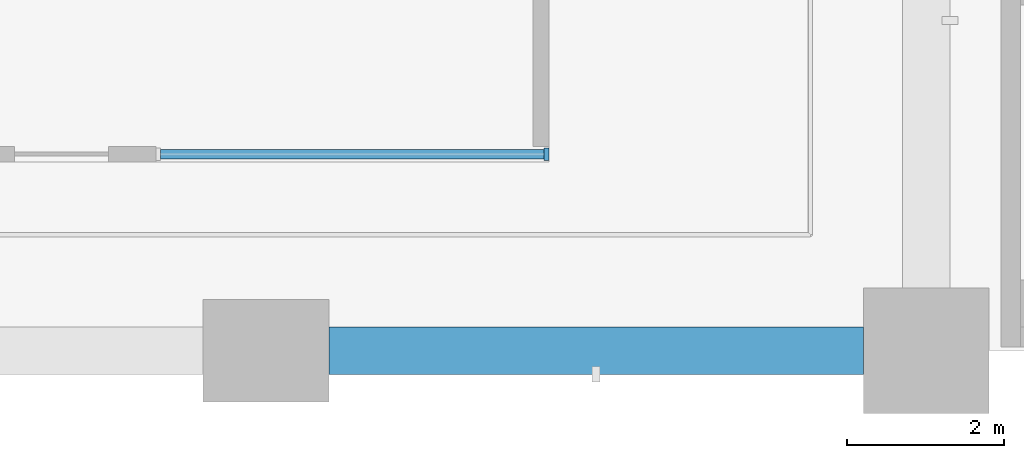
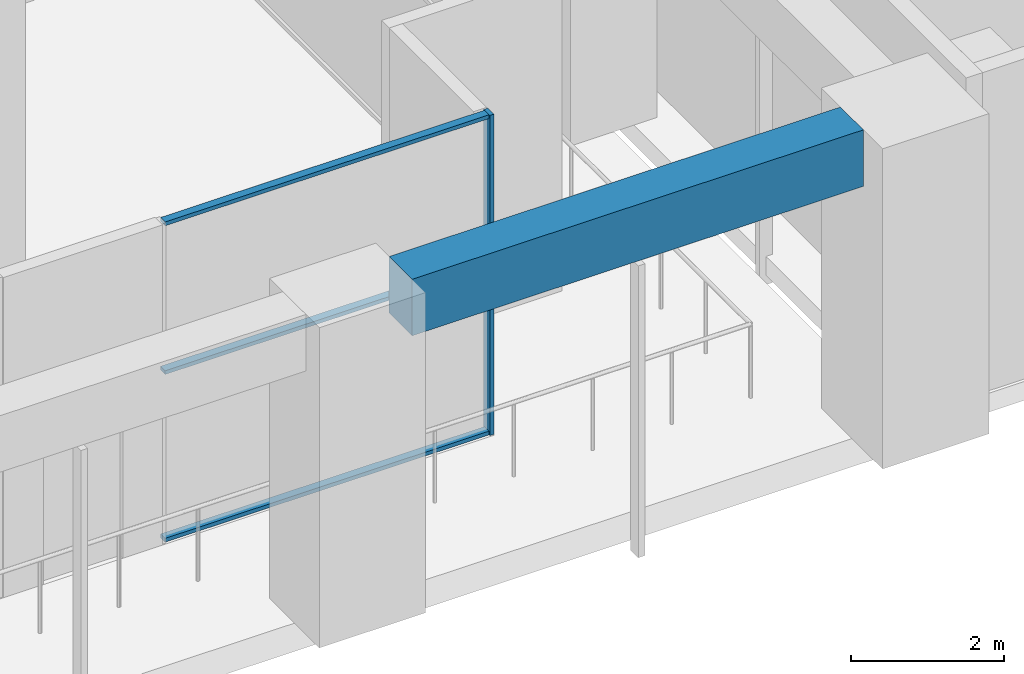
# One storey, part 7 of 33: 4 members, 1 beam, 1 element without a shape of its own.
"""IFC4 building model written with IfcOpenShell, lengths in metres."""

import ifcopenshell
import ifcopenshell.guid

model = None  # the IFC model being written
_history = None  # IfcOwnerHistory: only IFC2X3 demands one
_inside = {}  # id of a spatial element -> (the spatial element, [elements in it])
_under = {}  # id of a project, library or spatial element -> (it, [spatial elements below it])
_declared = {}  # id of a project -> (the project, [libraries it declares])
_typed = {}  # id of a type object -> (the type object, [elements of that type])
_made_of = {}  # id of a material, layer set ... -> (it, [elements and type objects made of it])


def new_model(schema):
    """Start an empty IFC model of exactly this schema.

    Asked for "IFC4X3", IfcOpenShell would pick the latest addendum, in which some entities
    have other attributes; the version numbers below select the first issue.
    IFC2X3 requires an IfcOwnerHistory on every rooted entity: one is made here for all.
    """
    global model, _history
    if schema == "IFC4X3":
        model = ifcopenshell.file(schema_version=(4, 3, 0, 0))
    else:
        model = ifcopenshell.file(schema=schema)
    _inside.clear()
    _under.clear()
    _declared.clear()
    _typed.clear()
    _made_of.clear()
    _history = None
    if model.schema == "IFC2X3":
        org = make("IfcOrganization", Name="unknown")
        user = make(
            "IfcPersonAndOrganization",
            ThePerson=make("IfcPerson", FamilyName="unknown"),
            TheOrganization=org,
        )
        app = make(
            "IfcApplication",
            ApplicationDeveloper=org,
            Version="unknown",
            ApplicationFullName="unknown",
            ApplicationIdentifier="unknown",
        )
        _history = make(
            "IfcOwnerHistory",
            OwningUser=user,
            OwningApplication=app,
            ChangeAction="ADDED",
            CreationDate=0,
        )
    return model


def make(cls, **values):
    """One entity of the class cls with the attributes given. An attribute that is None is left unset."""
    return model.create_entity(
        cls, **{name: value for name, value in values.items() if value is not None}
    )


def rooted(cls, **values):
    """An entity with a GlobalId (a new one), such as an element, a storey or a relation."""
    return make(cls, GlobalId=ifcopenshell.guid.new(), OwnerHistory=_history, **values)


def si_unit(unit_type, name, prefix=None):
    """IfcSIUnit, for example si_unit("LENGTHUNIT", "METRE", prefix="MILLI")."""
    return make("IfcSIUnit", UnitType=unit_type, Prefix=prefix, Name=name)


def assignment(units):
    """IfcUnitAssignment: the units of a project."""
    return None if units is None else make("IfcUnitAssignment", Units=units)


def point(xyz):
    """IfcCartesianPoint."""
    return None if xyz is None else make("IfcCartesianPoint", Coordinates=xyz)


def direction(xyz):
    """IfcDirection."""
    return None if xyz is None else make("IfcDirection", DirectionRatios=xyz)


def frame(location, z_axis=None, x_axis=None):
    """IfcAxis2Placement3D, a coordinate frame: its origin and axes. An axis left out is left unset."""
    return make(
        "IfcAxis2Placement3D",
        Location=point(location),
        Axis=direction(z_axis),
        RefDirection=direction(x_axis),
    )


def frame_2d(location, x_axis=None):
    """IfcAxis2Placement2D, a coordinate frame in the plane: its origin and x axis."""
    return make(
        "IfcAxis2Placement2D", Location=point(location), RefDirection=direction(x_axis)
    )


def origin():
    """The frame at (0, 0, 0) with its axes left unset."""
    return frame((0.0, 0.0, 0.0))


def origin_2d():
    """The frame at (0, 0) in the plane with its x axis left unset."""
    return frame_2d((0.0, 0.0))


def place(relative_to, where):
    """IfcLocalPlacement: puts the frame where relative to a parent placement (None: the world)."""
    return make(
        "IfcLocalPlacement", PlacementRelTo=relative_to, RelativePlacement=where
    )


def context(
    kind, dimensions, precision=None, world=None, true_north=None, identifier=None
):
    """IfcGeometricRepresentationContext, for example the 3D "Model" context."""
    return make(
        "IfcGeometricRepresentationContext",
        ContextIdentifier=identifier,
        ContextType=kind,
        CoordinateSpaceDimension=dimensions,
        Precision=precision,
        WorldCoordinateSystem=world,
        TrueNorth=true_north,
    )


def subcontext(parent, identifier, kind, view, scale=None):
    """IfcGeometricRepresentationSubContext, for example "Body" below "Model"."""
    return make(
        "IfcGeometricRepresentationSubContext",
        ContextIdentifier=identifier,
        ContextType=kind,
        ParentContext=parent,
        TargetScale=scale,
        TargetView=view,
    )


def project(units=None, contexts=None):
    """IfcProject with its units and contexts."""
    return rooted(
        "IfcProject",
        Name="project",
        RepresentationContexts=contexts,
        UnitsInContext=assignment(units),
    )


def spatial(cls, under=None, at=None, **own):
    """A site, building, storey or space (cls), placed at a placement, below another one or the project."""
    s = rooted(cls, ObjectPlacement=at, **own)
    if under is not None:
        _under.setdefault(under.id(), (under, []))[1].append(s)
    return s


def profile(cls, at=None, kind="AREA", **sizes):
    """A parametric profile (cls). Its sizes go by their IFC names, for example OverallWidth=200.0."""
    return make(cls, ProfileType=kind, Position=at, **sizes)


def rectangle(**sizes):
    """IfcRectangleProfileDef."""
    return profile("IfcRectangleProfileDef", **sizes)


def extrude(swept, where, along, depth):
    """IfcExtrudedAreaSolid: the profile swept, set in the frame where, extruded along a direction by depth."""
    return make(
        "IfcExtrudedAreaSolid",
        SweptArea=swept,
        Position=where,
        ExtrudedDirection=direction(along),
        Depth=depth,
    )


def shape(context_of_items, identifier, shape_type, items):
    """IfcShapeRepresentation: the items that make up one representation, for example the "Body"."""
    return make(
        "IfcShapeRepresentation",
        ContextOfItems=context_of_items,
        RepresentationIdentifier=identifier,
        RepresentationType=shape_type,
        Items=items,
    )


def material(Name=None, Category=None):
    """IfcMaterial."""
    return make("IfcMaterial", Name=Name, Category=Category)


def material_profile(
    of_material, cross_section, Name=None, Category=None, Priority=None
):
    """IfcMaterialProfile: a cross section and its material."""
    return make(
        "IfcMaterialProfile",
        Name=Name,
        Material=of_material,
        Profile=cross_section,
        Priority=Priority,
        Category=Category,
    )


def profile_set(profiles, Name=None, composite=None):
    """IfcMaterialProfileSet."""
    return make(
        "IfcMaterialProfileSet",
        Name=Name,
        MaterialProfiles=profiles,
        CompositeProfile=composite,
    )


def made_of(thing, what):
    """Note that an element or type object is made of a material, layer set ...; save() writes the relation."""
    if what is not None:
        _made_of.setdefault(what.id(), (what, []))[1].append(thing)
    return thing


def type_object(cls, material=None, **own):
    """A type object (cls), such as IfcWallType, which elements share."""
    return made_of(rooted(cls, **own), material)


def element(
    cls,
    number,
    at=None,
    inside=None,
    cuts=None,
    type_object=None,
    material=None,
    context=None,
    identifier="Body",
    shape_type=None,
    held_by="IfcProductDefinitionShape",
    body=None,
    shapes=None,
    **own,
):
    """One element of the class cls, such as IfcWall. Its Tag is "e" and its number.

    at: its placement. inside: the storey or other place that contains it. cuts: it is an
    opening in that element (IfcRelVoidsElement). A single representation is given by context,
    identifier, shape_type and body (its items); several are given by shapes. held_by: the class
    of the entity that holds the representations. save() writes the other relations.
    """
    e = rooted(cls, Tag="e%d" % number, ObjectPlacement=at, **own)
    if body is not None:
        shapes = [shape(context, identifier, shape_type, body)]
    if shapes is not None:
        e.Representation = make(held_by, Representations=shapes)
    if inside is not None:
        _inside.setdefault(inside.id(), (inside, []))[1].append(e)
    if cuts is not None:
        rooted(
            "IfcRelVoidsElement", RelatingBuildingElement=cuts, RelatedOpeningElement=e
        )
    if type_object is not None:
        _typed.setdefault(type_object.id(), (type_object, []))[1].append(e)
    return made_of(e, material)


def aggregate(whole, parts):
    """IfcRelAggregates: a whole, such as a stair, and the parts it consists of."""
    return rooted("IfcRelAggregates", RelatingObject=whole, RelatedObjects=parts)


def save(model, path):
    """Write the relations noted so far, then the file.

    IfcRelAggregates (storeys below a building ...), IfcRelContainedInSpatialStructure (elements
    in a storey), IfcRelDefinesByType, IfcRelAssociatesMaterial and IfcRelDeclares: one each for
    every whole, place, type object, material and project.
    """
    for whole, parts in _under.values():
        aggregate(whole, parts)
    for where, things in _inside.values():
        rooted(
            "IfcRelContainedInSpatialStructure",
            RelatedElements=things,
            RelatingStructure=where,
        )
    for kind, things in _typed.values():
        rooted("IfcRelDefinesByType", RelatedObjects=things, RelatingType=kind)
    for what, things in _made_of.values():
        rooted("IfcRelAssociatesMaterial", RelatedObjects=things, RelatingMaterial=what)
    for by, libraries in _declared.values():
        rooted("IfcRelDeclares", RelatingContext=by, RelatedDefinitions=libraries)
    model.write(path)


model = new_model("IFC4")

# Units and contexts
model_context = context("Model", 3, precision=1e-05, world=origin(), true_north=direction((0.0, 1.0)))
body_context = subcontext(model_context, "Body", "Model", "MODEL_VIEW")
ifc_project = project(units=[si_unit("LENGTHUNIT", "METRE"), si_unit("AREAUNIT", "SQUARE_METRE"), si_unit("VOLUMEUNIT", "CUBIC_METRE"), si_unit("PLANEANGLEUNIT", "RADIAN"), si_unit("MASSUNIT", "GRAM", prefix="KILO")], contexts=[model_context])

# Site, building, storey
site_placement = place(None, origin())
site = spatial("IfcSite", under=ifc_project, at=site_placement, CompositionType="ELEMENT")
building_placement = place(site_placement, origin())
building = spatial("IfcBuilding", under=site, at=building_placement, Name="Vermilion Gate Residences", CompositionType="ELEMENT")
storey_placement = place(building_placement, frame((0.0, 0.0, 14.39990234375)))
storey = spatial("IfcBuildingStorey", under=building, at=storey_placement, Name="L02", CompositionType="ELEMENT", Elevation=14.39990234375)

# Curtain wall, members
ifc_material_1 = material(Name="Aluminium and glass", Category="aluminium")
curtain_wall_type = type_object("IfcCurtainWallType", Name="AMENITY GLAZING CURTAIN WALL", PredefinedType="NOTDEFINED", material=ifc_material_1)
curtain_wall_placement = place(storey_placement, origin())
curtain_wall = element("IfcCurtainWall", 1, at=curtain_wall_placement, inside=storey, type_object=curtain_wall_type, Name="Amenity Glazing 62", PredefinedType="NOTDEFINED")
ifc_material_2 = material(Name="Aluminium", Category="aluminium")
ifc_material_profile_1 = material_profile(ifc_material_2, rectangle(XDim=0.159912109375, YDim=0.06005859375, at=origin_2d()), Name="MULLION 60 X 160")
ifc_profile_set_1 = profile_set([ifc_material_profile_1], Name="Aluminium")
member_type_1 = type_object("IfcMemberType", Name="AMENITY GLAZING MULLION 60 X 160", PredefinedType="MULLION", material=ifc_profile_set_1)
member_1_placement = place(storey_placement, frame((62.3701171875, 2.5, 0.0), z_axis=(0.0, 0.0, 1.0), x_axis=(0.0, 1.0, 0.0)))
member_1 = element("IfcMember", 2, at=member_1_placement, type_object=member_type_1, Name="ECW2 mullion 2", PredefinedType="MULLION", context=body_context, shape_type="SweptSolid", body=[
    extrude(rectangle(XDim=0.159912109375, YDim=0.06005859375, at=origin_2d()), origin(), (0.0, 0.0, 1.0), 5.10009765625),
])
ifc_material_3 = material(Name="Aluminium", Category="aluminium")
ifc_material_profile_2 = material_profile(ifc_material_3, rectangle(XDim=0.1201171875, YDim=0.06005859375, at=origin_2d()), Name="TRANSOM 60 X 120")
ifc_profile_set_2 = profile_set([ifc_material_profile_2], Name="Aluminium")
member_type_2 = type_object("IfcMemberType", Name="AMENITY GLAZING TRANSOM 60 X 120", PredefinedType="MULLION", material=ifc_profile_set_2)
member_2_placement = place(storey_placement, frame((57.4599609375, 2.5, 0.030029296875), z_axis=(1.0, 0.0, 0.0), x_axis=(0.0, 1.0, 0.0)))
member_2 = element("IfcMember", 3, at=member_2_placement, type_object=member_type_2, Name="ECW2 transom 1.1", PredefinedType="MULLION", context=body_context, shape_type="SweptSolid", body=[
    extrude(rectangle(XDim=0.1201171875, YDim=0.06005859375, at=origin_2d()), origin(), (0.0, 0.0, 1.0), 4.880126953125),
])
member_3_placement = place(storey_placement, frame((57.4599609375, 2.5, 2.7001953125), z_axis=(1.0, 0.0, 0.0), x_axis=(0.0, 1.0, 0.0)))
member_3 = element("IfcMember", 4, at=member_3_placement, type_object=member_type_2, Name="ECW2 transom 1.2", PredefinedType="MULLION", context=body_context, shape_type="SweptSolid", body=[
    extrude(rectangle(XDim=0.1201171875, YDim=0.06005859375, at=origin_2d()), origin(), (0.0, 0.0, 1.0), 4.880126953125),
])
member_4_placement = place(storey_placement, frame((57.4599609375, 2.5, 5.070068359375), z_axis=(1.0, 0.0, 0.0), x_axis=(0.0, 1.0, 0.0)))
member_4 = element("IfcMember", 5, at=member_4_placement, type_object=member_type_2, Name="ECW2 transom 1.3", PredefinedType="MULLION", context=body_context, shape_type="SweptSolid", body=[
    extrude(rectangle(XDim=0.1201171875, YDim=0.06005859375, at=origin_2d()), origin(), (0.0, 0.0, 1.0), 4.880126953125),
])
aggregate(curtain_wall, [member_1, member_2, member_3, member_4])

# Beam
ifc_material_4 = material(Name="Concrete C60 red-oxide pigmented", Category="concrete")
ifc_material_profile_3 = material_profile(ifc_material_4, rectangle(XDim=0.60009765625, YDim=0.89990234375, at=origin_2d()), Name="RC-600x900")
ifc_profile_set_3 = profile_set([ifc_material_profile_3], Name="Concrete C60 red-oxide pigmented")
beam_type = type_object("IfcBeamType", Name="RC EDGE BEAM 600 X 900 C60", PredefinedType="BEAM", material=ifc_profile_set_3)
beam_placement = place(storey_placement, frame((59.60009765625, 0.0, 4.650146484375), z_axis=(1.0, 0.0, 0.0), x_axis=(0.0, 1.0, 0.0)))
element("IfcBeam", 6, at=beam_placement, inside=storey, type_object=beam_type, Name="Edge beam L02 20", PredefinedType="BEAM", context=body_context, shape_type="SweptSolid", body=[
    extrude(rectangle(XDim=0.60009765625, YDim=0.89990234375, at=origin_2d()), origin(), (0.0, 0.0, 1.0), 6.7998046875),
])

save(model, "model.ifc")
